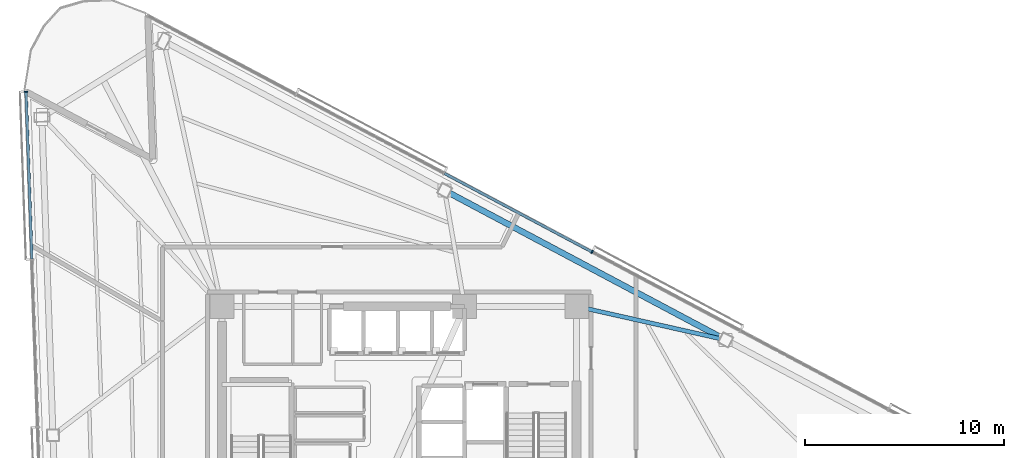
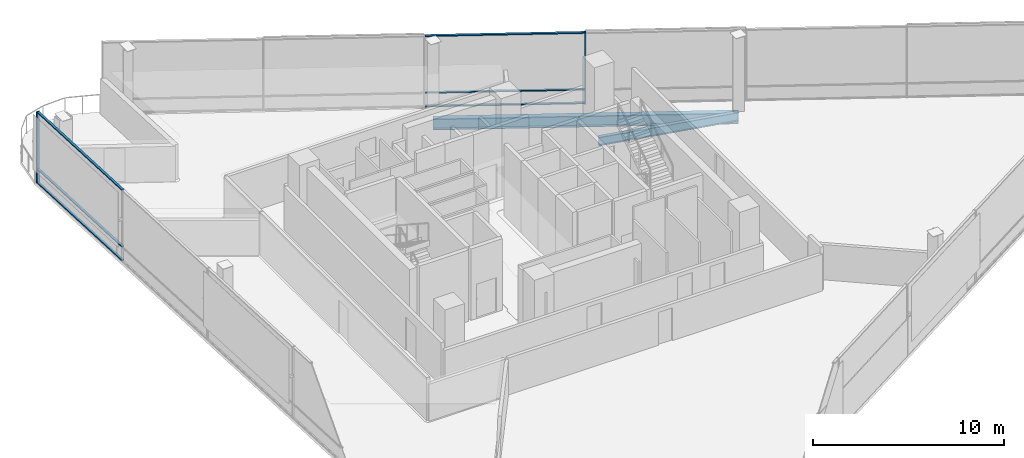
# One storey, part 8 of 19: 8 members, 2 beams, 2 elements without a shape of their own.
"""IFC4 building model written with IfcOpenShell, lengths in metres."""

from ifc_helpers import new_model, si_unit, direction, frame, origin, origin_2d, place, context, subcontext, project, spatial, rectangle, i_section, extrude, material, layer, layer_set, material_profile, profile_set, type_object, element, aggregate, save


model = new_model("IFC4")

# Units and contexts
model_context = context("Model", 3, precision=1e-05, world=origin(), true_north=direction((0.0, 1.0)))
body_context = subcontext(model_context, "Body", "Model", "MODEL_VIEW")
ifc_project = project(units=[si_unit("LENGTHUNIT", "METRE"), si_unit("AREAUNIT", "SQUARE_METRE"), si_unit("VOLUMEUNIT", "CUBIC_METRE"), si_unit("PLANEANGLEUNIT", "RADIAN"), si_unit("MASSUNIT", "GRAM", prefix="KILO")], contexts=[model_context])

# Site, building, storey
site_placement = place(None, origin())
site = spatial("IfcSite", under=ifc_project, at=site_placement, CompositionType="ELEMENT")
building_placement = place(site_placement, origin())
building = spatial("IfcBuilding", under=site, at=building_placement, Name="Tharavind Bronze Gate", CompositionType="ELEMENT")
storey_placement = place(building_placement, frame((0.0, 0.0, 160.39990234375)))
storey = spatial("IfcBuildingStorey", under=building, at=storey_placement, Name="L41", CompositionType="ELEMENT", Elevation=160.39990234375)

# Curtain wall, member
ifc_material_1 = material(Name="Anodised Bronze Aluminium", Category="aluminium")
ifc_layer = layer(ifc_material_1, 0.219970703125)
ifc_layer_set = layer_set([ifc_layer], Name="Anodised Bronze Aluminium")
curtain_wall_type = type_object("IfcCurtainWallType", Name="UNITISED CURTAIN WALL MID OFFICE", PredefinedType="USERDEFINED", material=ifc_layer_set)
curtain_wall_1_placement = place(storey_placement, origin())
curtain_wall_1 = element("IfcCurtainWall", 1, at=curtain_wall_1_placement, inside=storey, type_object=curtain_wall_type, Name="L41 unitised curtain wall mid office CW-L41-S1", ObjectType="UNITISED CURTAIN WALL", PredefinedType="USERDEFINED")
member_type_1 = type_object("IfcMemberType", Name="CURTAIN WALL BRONZE MULLION 65X180", PredefinedType="MULLION", material=ifc_material_1)
member_1_placement = place(storey_placement, frame((-18.7197265625, 18.364501953125, 0.0), z_axis=(0.0, 0.0, 1.0), x_axis=(0.034899496703, -0.999390827019, 0.0)))
member_1 = element("IfcMember", 2, at=member_1_placement, type_object=member_type_1, Name="CW-L41-S1 mullion 1", PredefinedType="MULLION", context=body_context, shape_type="SweptSolid", body=[
    extrude(rectangle(XDim=0.06494140625, YDim=0.179931640625, at=origin_2d()), origin(), (0.0, 0.0, 1.0), 4.554931640625),
])

curtain_wall_2_placement = place(storey_placement, origin())
curtain_wall_2 = element("IfcCurtainWall", 3, at=curtain_wall_2_placement, inside=storey, type_object=curtain_wall_type, Name="L41 unitised curtain wall mid office CW-L41-S3", ObjectType="UNITISED CURTAIN WALL", PredefinedType="USERDEFINED")
member_2_placement = place(storey_placement, frame((9.6748046875, 10.32861328125, 0.0), z_axis=(0.0, 0.0, 1.0), x_axis=(-0.882947592859, 0.469471562786, 0.0)))
member_2 = element("IfcMember", 4, at=member_2_placement, type_object=member_type_1, Name="CW-L41-S3 mullion 4", PredefinedType="MULLION", context=body_context, shape_type="SweptSolid", body=[
    extrude(rectangle(XDim=0.06494140625, YDim=0.179931640625, at=origin_2d()), origin(), (0.0, 0.0, 1.0), 4.554931640625),
])

# Member
member_type_2 = type_object("IfcMemberType", Name="CURTAIN WALL BRONZE TRANSOM 65X140", PredefinedType="USERDEFINED", material=ifc_material_1)
member_3_placement = place(storey_placement, frame((-18.572998046875, 14.159912109375, 0.000244140625), z_axis=(0.0, 0.0, 1.0), x_axis=(0.034899496703, -0.999390827019, 0.0)))
member_3 = element("IfcMember", 5, at=member_3_placement, type_object=member_type_2, Name="CW-L41-S1 transom TB1", ObjectType="TRANSOM", PredefinedType="USERDEFINED", context=body_context, shape_type="SweptSolid", body=[
    extrude(rectangle(XDim=8.361572265625, YDim=0.139892578125, at=origin_2d()), origin(), (0.0, 0.0, 1.0), 0.06494140625),
])

member_4_placement = place(storey_placement, frame((-18.572998046875, 14.159912109375, 0.86767578125), z_axis=(0.0, 0.0, 1.0), x_axis=(0.034899496703, -0.999390827019, 0.0)))
member_4 = element("IfcMember", 6, at=member_4_placement, type_object=member_type_2, Name="CW-L41-S1 transom TS1", ObjectType="TRANSOM", PredefinedType="USERDEFINED", context=body_context, shape_type="SweptSolid", body=[
    extrude(rectangle(XDim=8.361572265625, YDim=0.139892578125, at=origin_2d()), origin(), (0.0, 0.0, 1.0), 0.06494140625),
])

member_5_placement = place(storey_placement, frame((-18.572998046875, 14.159912109375, 4.490234375), z_axis=(0.0, 0.0, 1.0), x_axis=(0.034899496703, -0.999390827019, 0.0)))
member_5 = element("IfcMember", 7, at=member_5_placement, type_object=member_type_2, Name="CW-L41-S1 transom TT1", ObjectType="TRANSOM", PredefinedType="USERDEFINED", context=body_context, shape_type="SweptSolid", body=[
    extrude(rectangle(XDim=8.361572265625, YDim=0.139892578125, at=origin_2d()), origin(), (0.0, 0.0, 1.0), 0.06494140625),
])

aggregate(curtain_wall_1, [member_1, member_3, member_4, member_5])

member_6_placement = place(storey_placement, frame((5.960205078125, 12.303955078125, 0.000244140625), z_axis=(0.0, 0.0, 1.0), x_axis=(-0.882947592859, 0.469471562786, 0.0)))
member_6 = element("IfcMember", 8, at=member_6_placement, type_object=member_type_2, Name="CW-L41-S3 transom TB4", ObjectType="TRANSOM", PredefinedType="USERDEFINED", context=body_context, shape_type="SweptSolid", body=[
    extrude(rectangle(XDim=8.361572265625, YDim=0.139892578125, at=origin_2d()), origin(), (0.0, 0.0, 1.0), 0.06494140625),
])

member_7_placement = place(storey_placement, frame((5.960205078125, 12.303955078125, 0.86767578125), z_axis=(0.0, 0.0, 1.0), x_axis=(-0.882947592859, 0.469471562786, 0.0)))
member_7 = element("IfcMember", 9, at=member_7_placement, type_object=member_type_2, Name="CW-L41-S3 transom TS4", ObjectType="TRANSOM", PredefinedType="USERDEFINED", context=body_context, shape_type="SweptSolid", body=[
    extrude(rectangle(XDim=8.361572265625, YDim=0.139892578125, at=origin_2d()), origin(), (0.0, 0.0, 1.0), 0.06494140625),
])

member_8_placement = place(storey_placement, frame((5.960205078125, 12.303955078125, 4.490234375), z_axis=(0.0, 0.0, 1.0), x_axis=(-0.882947592859, 0.469471562786, 0.0)))
member_8 = element("IfcMember", 10, at=member_8_placement, type_object=member_type_2, Name="CW-L41-S3 transom TT4", ObjectType="TRANSOM", PredefinedType="USERDEFINED", context=body_context, shape_type="SweptSolid", body=[
    extrude(rectangle(XDim=8.361572265625, YDim=0.139892578125, at=origin_2d()), origin(), (0.0, 0.0, 1.0), 0.06494140625),
])

aggregate(curtain_wall_2, [member_2, member_6, member_7, member_8])

# Beams
ifc_material_2 = material(Name="Steel S355", Category="steel")
ifc_material_profile_1 = material_profile(ifc_material_2, i_section(OverallWidth=0.2099609375, OverallDepth=0.550048828125, WebThickness=0.010986328125, FlangeThickness=0.01708984375, at=origin_2d()), Name="IPE550")
ifc_profile_set_1 = profile_set([ifc_material_profile_1], Name="Steel S355")
beam_type_1 = type_object("IfcBeamType", Name="PRIMARY GIRDER IPE550", PredefinedType="USERDEFINED", material=ifc_profile_set_1)
beam_1_placement = place(storey_placement, frame((16.3701171875, 5.91943359375, -0.46484375), z_axis=(-0.97561351158, 0.219495503422, 0.0), x_axis=(-0.219495503422, -0.97561351158, 0.0)))
element("IfcBeam", 11, at=beam_1_placement, inside=storey, type_object=beam_type_1, Name="L41 primary girder ipe550 BM-L41-RAD10", ObjectType="GIRDER", PredefinedType="USERDEFINED", context=body_context, shape_type="SweptSolid", body=[
    extrude(i_section(OverallWidth=0.2099609375, OverallDepth=0.550048828125, WebThickness=0.010986328125, FlangeThickness=0.01708984375, at=origin_2d()), origin(), (0.0, 0.0, 1.0), 7.656982421875),
])
ifc_material_profile_2 = material_profile(ifc_material_2, i_section(OverallWidth=0.300048828125, OverallDepth=0.699951171875, WebThickness=0.01708984375, FlangeThickness=0.031982421875, at=origin_2d()), Name="HE700B")
ifc_profile_set_2 = profile_set([ifc_material_profile_2], Name="Steel S355")
beam_type_2 = type_object("IfcBeamType", Name="RING GIRDER HE700B", PredefinedType="USERDEFINED", material=ifc_profile_set_2)
beam_2_placement = place(storey_placement, frame((16.3701171875, 5.91943359375, -0.539794921875), z_axis=(-0.882948335869, 0.469470165385, 0.0), x_axis=(-0.469470165385, -0.882948335869, 0.0)))
element("IfcBeam", 12, at=beam_2_placement, inside=storey, type_object=beam_type_2, Name="L41 ring girder he700b BM-L41-PRG10", ObjectType="GIRDER", PredefinedType="USERDEFINED", context=body_context, shape_type="SweptSolid", body=[
    extrude(i_section(OverallWidth=0.300048828125, OverallDepth=0.699951171875, WebThickness=0.01708984375, FlangeThickness=0.031982421875, at=origin_2d()), origin(), (0.0, 0.0, 1.0), 15.962890625),
])

save(model, "model.ifc")
